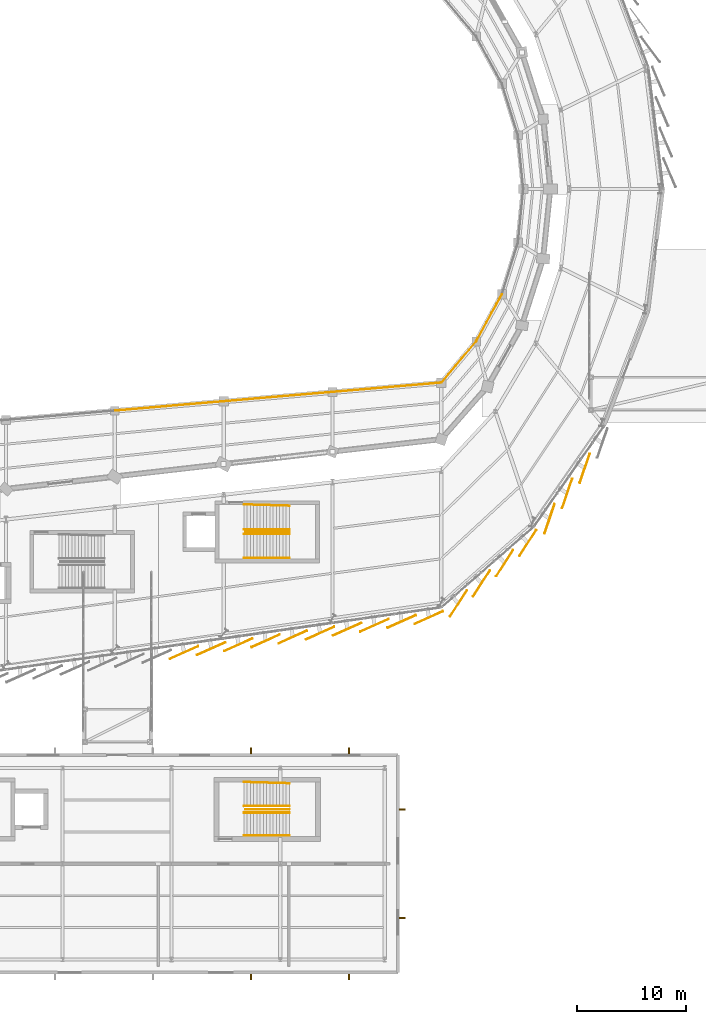
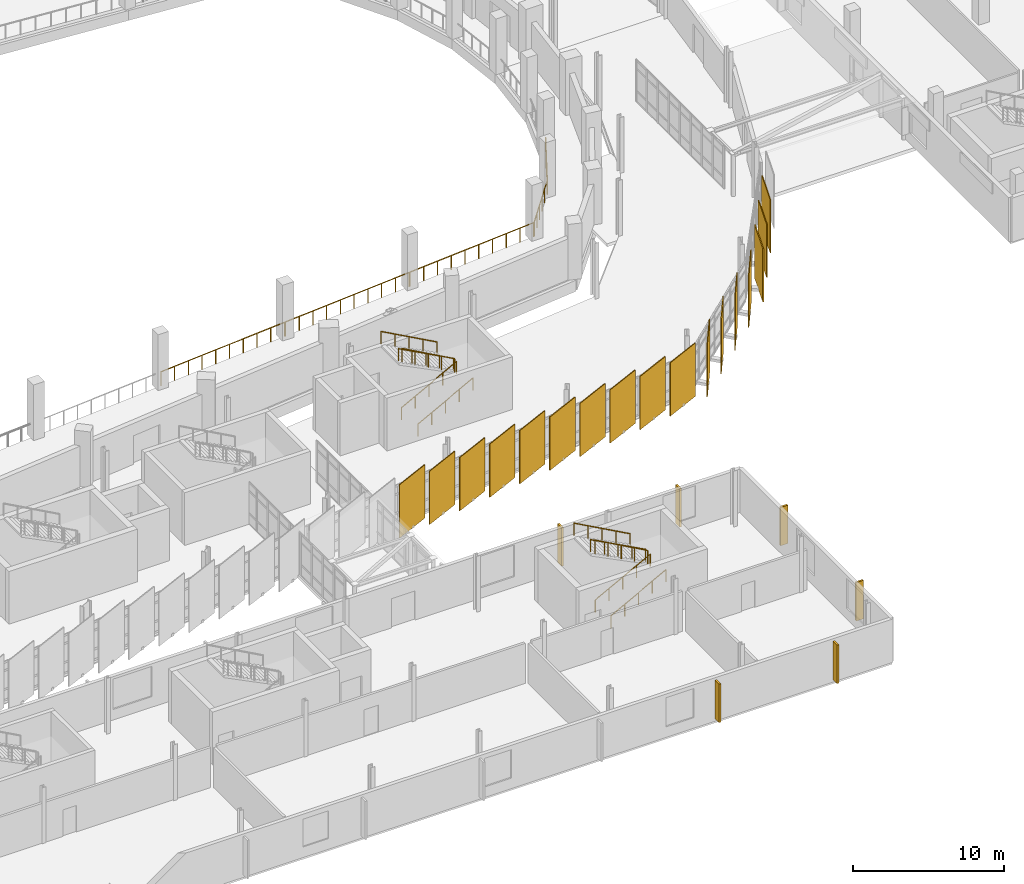
# One storey, part 121 of 125: 17 coverings, 15 railings, 6 shading devices.
"""IFC4 building model written with IfcOpenShell, lengths in metres."""

from ifc_helpers import new_model, si_unit, direction, frame, origin, origin_2d, place, context, subcontext, project, spatial, rectangle, circle, extrude, material, layer, layer_set, type_object, element, save


model = new_model("IFC4")

# Units and contexts
model_context = context("Model", 3, precision=1e-05, world=origin(), true_north=direction((0.0, 1.0)))
body_context = subcontext(model_context, "Body", "Model", "MODEL_VIEW")
ifc_project = project(units=[si_unit("LENGTHUNIT", "METRE"), si_unit("AREAUNIT", "SQUARE_METRE"), si_unit("VOLUMEUNIT", "CUBIC_METRE"), si_unit("PLANEANGLEUNIT", "RADIAN"), si_unit("MASSUNIT", "GRAM", prefix="KILO")], contexts=[model_context])

# Site, building, storey
site_placement = place(None, origin())
site = spatial("IfcSite", under=ifc_project, at=site_placement, CompositionType="ELEMENT")
building_placement = place(site_placement, origin())
building = spatial("IfcBuilding", under=site, at=building_placement, Name="Sohan Crest Arena", CompositionType="ELEMENT")
storey_placement = place(building_placement, frame((0.0, 0.0, 9.0)))
storey = spatial("IfcBuildingStorey", under=building, at=storey_placement, Name="L02", CompositionType="ELEMENT", Elevation=9.0)

# Railings
ifc_material_1 = material(Name="Powder-coated wrought steel balustrade", Category="steel")
railing_type_1 = type_object("IfcRailingType", Name="ARC-GRD-01", PredefinedType="GUARDRAIL", material=ifc_material_1)
for number, where, name in (
    (1, (154.030029296875, 46.5, 2.25), "Stair well slot guard GRD-053"),
    (2, (154.030029296875, 21.0, 2.25), "Stair well slot guard GRD-064"),
):
    element("IfcRailing", number, at=place(storey_placement, frame(where)), inside=storey, type_object=railing_type_1, Name=name, PredefinedType="GUARDRAIL", context=body_context, shape_type="SweptSolid", body=[
        extrude(circle(Radius=0.02392578125, at=origin_2d()), frame((0.0, 0.0, 1.076171875), z_axis=(-0.87313487534, 0.0, 0.487478706678), x_axis=(0.0, -1.0, 0.0)), (0.0, 0.0, 1.0), 4.615478515625),
        extrude(circle(Radius=0.02099609375, at=origin_2d()), origin(), (0.0, 0.0, 1.0), 1.052001953125),
        extrude(circle(Radius=0.02099609375, at=origin_2d()), frame((-1.007568359375, 0.0, 0.5625)), (0.0, 0.0, 1.0), 1.052001953125),
        extrude(circle(Radius=0.02099609375, at=origin_2d()), frame((-2.01513671875, 0.0, 1.125)), (0.0, 0.0, 1.0), 1.052001953125),
        extrude(circle(Radius=0.02099609375, at=origin_2d()), frame((-3.0224609375, 0.0, 1.6875)), (0.0, 0.0, 1.0), 1.052001953125),
        extrude(circle(Radius=0.02099609375, at=origin_2d()), frame((-4.030029296875, 0.0, 2.25)), (0.0, 0.0, 1.0), 1.052001953125),
    ])
ifc_material_2 = material(Name="Laminated glass and steel sightline guard", Category="steel")
railing_type_2 = type_object("IfcRailingType", Name="ARC-GRD-02", PredefinedType="GUARDRAIL", material=ifc_material_2)
railing_1_placement = place(storey_placement, frame((138.0400390625, 57.632080078125, 0.0)))
element("IfcRailing", 3, at=railing_1_placement, inside=storey, type_object=railing_type_2, Name="Bowl gallery edge guard GRD-234", PredefinedType="GUARDRAIL", context=body_context, shape_type="SweptSolid", body=[
    extrude(circle(Radius=0.02392578125, at=origin_2d()), frame((0.0, 0.0, 1.1259765625), z_axis=(0.996341938042, 0.085456085206, 0.0), x_axis=(-0.085456085206, 0.996341938042, 0.0)), (0.0, 0.0, 1.0), 9.956298828125),
    extrude(circle(Radius=0.02099609375, at=origin_2d()), origin(), (0.0, 0.0, 1.0), 1.101806640625),
    extrude(circle(Radius=0.02099609375, at=origin_2d()), frame((1.102294921875, 0.094482421875, 0.0)), (0.0, 0.0, 1.0), 1.101806640625),
    extrude(circle(Radius=0.02099609375, at=origin_2d()), frame((2.204345703125, 0.18896484375, 0.0)), (0.0, 0.0, 1.0), 1.101806640625),
    extrude(circle(Radius=0.02099609375, at=origin_2d()), frame((3.306640625, 0.28369140625, 0.0)), (0.0, 0.0, 1.0), 1.101806640625),
    extrude(circle(Radius=0.02099609375, at=origin_2d()), frame((4.408935546875, 0.378173828125, 0.0)), (0.0, 0.0, 1.0), 1.101806640625),
    extrude(circle(Radius=0.02099609375, at=origin_2d()), frame((5.510986328125, 0.47265625, 0.0)), (0.0, 0.0, 1.0), 1.101806640625),
    extrude(circle(Radius=0.02099609375, at=origin_2d()), frame((6.61328125, 0.567138671875, 0.0)), (0.0, 0.0, 1.0), 1.101806640625),
    extrude(circle(Radius=0.02099609375, at=origin_2d()), frame((7.715576171875, 0.661865234375, 0.0)), (0.0, 0.0, 1.0), 1.101806640625),
    extrude(circle(Radius=0.02099609375, at=origin_2d()), frame((8.817626953125, 0.75634765625, 0.0)), (0.0, 0.0, 1.0), 1.101806640625),
    extrude(circle(Radius=0.02099609375, at=origin_2d()), frame((9.919921875, 0.850830078125, 0.0)), (0.0, 0.0, 1.0), 1.101806640625),
])
for number, where, name in (
    (4, (148.0400390625, 58.489013671875, 0.0), "Bowl gallery edge guard GRD-235"),
    (5, (158.0400390625, 59.345947265625, 0.0), "Bowl gallery edge guard GRD-236"),
):
    element("IfcRailing", number, at=place(storey_placement, frame(where)), inside=storey, type_object=railing_type_2, Name=name, PredefinedType="GUARDRAIL", context=body_context, shape_type="SweptSolid", body=[
        extrude(circle(Radius=0.02392578125, at=origin_2d()), frame((0.0, 0.0, 1.1259765625), z_axis=(0.996339849936, 0.085480427173, 0.0), x_axis=(-0.085480427173, 0.996339849936, 0.0)), (0.0, 0.0, 1.0), 9.956298828125),
        extrude(circle(Radius=0.02099609375, at=origin_2d()), origin(), (0.0, 0.0, 1.0), 1.101806640625),
        extrude(circle(Radius=0.02099609375, at=origin_2d()), frame((1.102294921875, 0.094482421875, 0.0)), (0.0, 0.0, 1.0), 1.101806640625),
        extrude(circle(Radius=0.02099609375, at=origin_2d()), frame((2.204345703125, 0.189208984375, 0.0)), (0.0, 0.0, 1.0), 1.101806640625),
        extrude(circle(Radius=0.02099609375, at=origin_2d()), frame((3.306640625, 0.28369140625, 0.0)), (0.0, 0.0, 1.0), 1.101806640625),
        extrude(circle(Radius=0.02099609375, at=origin_2d()), frame((4.408935546875, 0.378173828125, 0.0)), (0.0, 0.0, 1.0), 1.101806640625),
        extrude(circle(Radius=0.02099609375, at=origin_2d()), frame((5.510986328125, 0.472900390625, 0.0)), (0.0, 0.0, 1.0), 1.101806640625),
        extrude(circle(Radius=0.02099609375, at=origin_2d()), frame((6.61328125, 0.5673828125, 0.0)), (0.0, 0.0, 1.0), 1.101806640625),
        extrude(circle(Radius=0.02099609375, at=origin_2d()), frame((7.715576171875, 0.661865234375, 0.0)), (0.0, 0.0, 1.0), 1.101806640625),
        extrude(circle(Radius=0.02099609375, at=origin_2d()), frame((8.817626953125, 0.756591796875, 0.0)), (0.0, 0.0, 1.0), 1.101806640625),
        extrude(circle(Radius=0.02099609375, at=origin_2d()), frame((9.919921875, 0.85107421875, 0.0)), (0.0, 0.0, 1.0), 1.101806640625),
    ])
railing_2_placement = place(storey_placement, frame((168.02587890625, 60.23095703125, 0.0)))
element("IfcRailing", 6, at=railing_2_placement, inside=storey, type_object=railing_type_2, Name="Bowl gallery edge guard GRD-237", PredefinedType="GUARDRAIL", context=body_context, shape_type="SweptSolid", body=[
    extrude(circle(Radius=0.02392578125, at=origin_2d()), frame((0.0, 0.0, 1.1259765625), z_axis=(0.644656953224, 0.764471982914, 0.0), x_axis=(-0.764471982914, 0.644656953224, 0.0)), (0.0, 0.0, 1.0), 4.8740234375),
    extrude(circle(Radius=0.02099609375, at=origin_2d()), origin(), (0.0, 0.0, 1.0), 1.101806640625),
    extrude(circle(Radius=0.02099609375, at=origin_2d()), frame((0.62841796875, 0.7451171875, 0.0)), (0.0, 0.0, 1.0), 1.101806640625),
    extrude(circle(Radius=0.02099609375, at=origin_2d()), frame((1.2568359375, 1.490478515625, 0.0)), (0.0, 0.0, 1.0), 1.101806640625),
    extrude(circle(Radius=0.02099609375, at=origin_2d()), frame((1.88525390625, 2.235595703125, 0.0)), (0.0, 0.0, 1.0), 1.101806640625),
    extrude(circle(Radius=0.02099609375, at=origin_2d()), frame((2.513671875, 2.98095703125, 0.0)), (0.0, 0.0, 1.0), 1.101806640625),
    extrude(circle(Radius=0.02099609375, at=origin_2d()), frame((3.14208984375, 3.72607421875, 0.0)), (0.0, 0.0, 1.0), 1.101806640625),
])
railing_3_placement = place(storey_placement, frame((171.212890625, 64.02294921875, 0.0)))
element("IfcRailing", 7, at=railing_3_placement, inside=storey, type_object=railing_type_2, Name="Bowl gallery edge guard GRD-238", PredefinedType="GUARDRAIL", context=body_context, shape_type="SweptSolid", body=[
    extrude(circle(Radius=0.02392578125, at=origin_2d()), frame((0.0, 0.0, 1.1259765625), z_axis=(0.47973946728, 0.877410988952, 0.0), x_axis=(-0.877410988952, 0.47973946728, 0.0)), (0.0, 0.0, 1.0), 4.875732421875),
    extrude(circle(Radius=0.02099609375, at=origin_2d()), origin(), (0.0, 0.0, 1.0), 1.101806640625),
    extrude(circle(Radius=0.02099609375, at=origin_2d()), frame((0.4677734375, 0.855712890625, 0.0)), (0.0, 0.0, 1.0), 1.101806640625),
    extrude(circle(Radius=0.02099609375, at=origin_2d()), frame((0.935546875, 1.711181640625, 0.0)), (0.0, 0.0, 1.0), 1.101806640625),
    extrude(circle(Radius=0.02099609375, at=origin_2d()), frame((1.403564453125, 2.56689453125, 0.0)), (0.0, 0.0, 1.0), 1.101806640625),
    extrude(circle(Radius=0.02099609375, at=origin_2d()), frame((1.871337890625, 3.42236328125, 0.0)), (0.0, 0.0, 1.0), 1.101806640625),
    extrude(circle(Radius=0.02099609375, at=origin_2d()), frame((2.339111328125, 4.278076171875, 0.0)), (0.0, 0.0, 1.0), 1.101806640625),
])
ifc_material_3 = material(Name="Brushed stainless steel stair handrail", Category="steel")
railing_type_3 = type_object("IfcRailingType", Name="ARC-HR-01", PredefinedType="HANDRAIL", material=ifc_material_3)
for number, where, name in (
    (8, (149.85009765625, 44.110107421875, 0.0), "Stair pitch handrail HR-177"),
    (9, (149.85009765625, 46.2900390625, 0.0), "Stair pitch handrail HR-178"),
):
    element("IfcRailing", number, at=place(storey_placement, frame(where)), inside=storey, type_object=railing_type_3, Name=name, PredefinedType="HANDRAIL", context=body_context, shape_type="SweptSolid", body=[
        extrude(circle(Radius=0.02392578125, at=origin_2d()), frame((0.0, 0.0, 0.97607421875), z_axis=(0.881477684796, 0.0, 0.472225678258), x_axis=(0.0, 1.0, 0.0)), (0.0, 0.0, 1.0), 4.7646484375),
        extrude(circle(Radius=0.02099609375, at=origin_2d()), origin(), (0.0, 0.0, 1.0), 0.951904296875),
        extrude(circle(Radius=0.02099609375, at=origin_2d()), frame((1.050048828125, 0.0, 0.5625)), (0.0, 0.0, 1.0), 0.951904296875),
        extrude(circle(Radius=0.02099609375, at=origin_2d()), frame((2.10009765625, 0.0, 1.125)), (0.0, 0.0, 1.0), 0.951904296875),
        extrude(circle(Radius=0.02099609375, at=origin_2d()), frame((3.14990234375, 0.0, 1.6875)), (0.0, 0.0, 1.0), 0.951904296875),
        extrude(circle(Radius=0.02099609375, at=origin_2d()), frame((4.199951171875, 0.0, 2.25)), (0.0, 0.0, 1.0), 0.951904296875),
    ])
railing_4_placement = place(storey_placement, frame((154.050048828125, 46.7099609375, 2.25)))
element("IfcRailing", 10, at=railing_4_placement, inside=storey, type_object=railing_type_3, Name="Stair pitch handrail HR-179", PredefinedType="HANDRAIL", context=body_context, shape_type="SweptSolid", body=[
    extrude(circle(Radius=0.02392578125, at=origin_2d()), frame((0.0, 0.0, 0.97607421875), z_axis=(-0.881477684796, 0.0, 0.472225678258), x_axis=(0.0, -1.0, 0.0)), (0.0, 0.0, 1.0), 4.7646484375),
    extrude(circle(Radius=0.02099609375, at=origin_2d()), origin(), (0.0, 0.0, 1.0), 0.951904296875),
    extrude(circle(Radius=0.02099609375, at=origin_2d()), frame((-1.050048828125, 0.0, 0.5625)), (0.0, 0.0, 1.0), 0.951904296875),
    extrude(circle(Radius=0.02099609375, at=origin_2d()), frame((-2.10009765625, 0.0, 1.125)), (0.0, 0.0, 1.0), 0.951904296875),
    extrude(circle(Radius=0.02099609375, at=origin_2d()), frame((-3.14990234375, 0.0, 1.6875)), (0.0, 0.0, 1.0), 0.951904296875),
    extrude(circle(Radius=0.02099609375, at=origin_2d()), frame((-4.199951171875, 0.0, 2.25)), (0.0, 0.0, 1.0), 0.951904296875),
])
railing_5_placement = place(storey_placement, frame((154.050048828125, 48.889892578125, 2.25)))
element("IfcRailing", 11, at=railing_5_placement, inside=storey, type_object=railing_type_3, Name="Stair pitch handrail HR-180", PredefinedType="HANDRAIL", context=body_context, shape_type="SweptSolid", body=[
    extrude(circle(Radius=0.02392578125, at=origin_2d()), frame((0.0, 0.0, 0.97607421875), z_axis=(-0.881197710057, 0.025201957411, 0.472075690047), x_axis=(-0.028587973606, -0.999591280357, 0.0)), (0.0, 0.0, 1.0), 4.76611328125),
    extrude(circle(Radius=0.02099609375, at=origin_2d()), origin(), (0.0, 0.0, 1.0), 0.951904296875),
    extrude(circle(Radius=0.02099609375, at=origin_2d()), frame((-1.050048828125, 0.030029296875, 0.5625)), (0.0, 0.0, 1.0), 0.951904296875),
    extrude(circle(Radius=0.02099609375, at=origin_2d()), frame((-2.10009765625, 0.06005859375, 1.125)), (0.0, 0.0, 1.0), 0.951904296875),
    extrude(circle(Radius=0.02099609375, at=origin_2d()), frame((-3.14990234375, 0.090087890625, 1.6875)), (0.0, 0.0, 1.0), 0.951904296875),
    extrude(circle(Radius=0.02099609375, at=origin_2d()), frame((-4.199951171875, 0.1201171875, 2.25)), (0.0, 0.0, 1.0), 0.951904296875),
])
for number, where, name in (
    (12, (149.85009765625, 18.610107421875, 0.0), "Stair pitch handrail HR-213"),
    (13, (149.85009765625, 20.68994140625, 0.0), "Stair pitch handrail HR-214"),
):
    element("IfcRailing", number, at=place(storey_placement, frame(where)), inside=storey, type_object=railing_type_3, Name=name, PredefinedType="HANDRAIL", context=body_context, shape_type="SweptSolid", body=[
        extrude(circle(Radius=0.02392578125, at=origin_2d()), frame((0.0, 0.0, 0.97607421875), z_axis=(0.881477684796, 0.0, 0.472225678258), x_axis=(0.0, 1.0, 0.0)), (0.0, 0.0, 1.0), 4.7646484375),
        extrude(circle(Radius=0.02099609375, at=origin_2d()), origin(), (0.0, 0.0, 1.0), 0.951904296875),
        extrude(circle(Radius=0.02099609375, at=origin_2d()), frame((1.050048828125, 0.0, 0.5625)), (0.0, 0.0, 1.0), 0.951904296875),
        extrude(circle(Radius=0.02099609375, at=origin_2d()), frame((2.10009765625, 0.0, 1.125)), (0.0, 0.0, 1.0), 0.951904296875),
        extrude(circle(Radius=0.02099609375, at=origin_2d()), frame((3.14990234375, 0.0, 1.6875)), (0.0, 0.0, 1.0), 0.951904296875),
        extrude(circle(Radius=0.02099609375, at=origin_2d()), frame((4.199951171875, 0.0, 2.25)), (0.0, 0.0, 1.0), 0.951904296875),
    ])
railing_6_placement = place(storey_placement, frame((154.050048828125, 21.31005859375, 2.25)))
element("IfcRailing", 14, at=railing_6_placement, inside=storey, type_object=railing_type_3, Name="Stair pitch handrail HR-215", PredefinedType="HANDRAIL", context=body_context, shape_type="SweptSolid", body=[
    extrude(circle(Radius=0.02392578125, at=origin_2d()), frame((0.0, 0.0, 0.97607421875), z_axis=(-0.881477684796, 0.0, 0.472225678258), x_axis=(0.0, -1.0, 0.0)), (0.0, 0.0, 1.0), 4.7646484375),
    extrude(circle(Radius=0.02099609375, at=origin_2d()), origin(), (0.0, 0.0, 1.0), 0.951904296875),
    extrude(circle(Radius=0.02099609375, at=origin_2d()), frame((-1.050048828125, 0.0, 0.5625)), (0.0, 0.0, 1.0), 0.951904296875),
    extrude(circle(Radius=0.02099609375, at=origin_2d()), frame((-2.10009765625, 0.0, 1.125)), (0.0, 0.0, 1.0), 0.951904296875),
    extrude(circle(Radius=0.02099609375, at=origin_2d()), frame((-3.14990234375, 0.0, 1.6875)), (0.0, 0.0, 1.0), 0.951904296875),
    extrude(circle(Radius=0.02099609375, at=origin_2d()), frame((-4.199951171875, 0.0, 2.25)), (0.0, 0.0, 1.0), 0.951904296875),
])
railing_7_placement = place(storey_placement, frame((154.050048828125, 23.389892578125, 2.25)))
element("IfcRailing", 15, at=railing_7_placement, inside=storey, type_object=railing_type_3, Name="Stair pitch handrail HR-216", PredefinedType="HANDRAIL", context=body_context, shape_type="SweptSolid", body=[
    extrude(circle(Radius=0.02392578125, at=origin_2d()), frame((0.0, 0.0, 0.97607421875), z_axis=(-0.881197710057, 0.025201957411, 0.472075690047), x_axis=(-0.028587973606, -0.999591280357, 0.0)), (0.0, 0.0, 1.0), 4.76611328125),
    extrude(circle(Radius=0.02099609375, at=origin_2d()), origin(), (0.0, 0.0, 1.0), 0.951904296875),
    extrude(circle(Radius=0.02099609375, at=origin_2d()), frame((-1.050048828125, 0.030029296875, 0.5625)), (0.0, 0.0, 1.0), 0.951904296875),
    extrude(circle(Radius=0.02099609375, at=origin_2d()), frame((-2.10009765625, 0.06005859375, 1.125)), (0.0, 0.0, 1.0), 0.951904296875),
    extrude(circle(Radius=0.02099609375, at=origin_2d()), frame((-3.14990234375, 0.090087890625, 1.6875)), (0.0, 0.0, 1.0), 0.951904296875),
    extrude(circle(Radius=0.02099609375, at=origin_2d()), frame((-4.199951171875, 0.1201171875, 2.25)), (0.0, 0.0, 1.0), 0.951904296875),
])

# Shading devices
ifc_material_4 = material(Name="Glazed terracotta ceramic solar fin", Category="masonry")
ifc_layer_1 = layer(ifc_material_4, 0.070068359375, Name="Glazed terracotta ceramic solar fin")
ifc_layer_set_1 = layer_set([ifc_layer_1], Name="Glazed terracotta ceramic solar fin")
shading_device_type = type_object("IfcShadingDeviceType", Name="ARC-SHD-FIN1", PredefinedType="USERDEFINED", material=ifc_layer_set_1)
for number, where, z_axis, x_axis, name in (
    (16, (150.5, 5.60009765625, 0.199951171875), (0.0, 0.0, 1.0), (1.0, 0.0, 0.0), "Catalan terracotta facade fin FIN-083"),
    (17, (159.5, 5.60009765625, 0.199951171875), (0.0, 0.0, 1.0), (1.0, 0.0, 0.0), "Catalan terracotta facade fin FIN-084"),
    (18, (164.39990234375, 11.0, 0.199951171875), (0.0, 0.0, 1.0), (0.0, 1.0, 0.0), "Catalan terracotta facade fin FIN-085"),
    (19, (164.39990234375, 21.0, 0.199951171875), (0.0, 0.0, 1.0), (0.0, 1.0, 0.0), "Catalan terracotta facade fin FIN-086"),
    (20, (159.5, 26.39990234375, 0.199951171875), (0.0, 0.0, 1.0), (-1.0, 0.0, 0.0), "Catalan terracotta facade fin FIN-087"),
    (21, (150.5, 26.39990234375, 0.199951171875), (0.0, 0.0, 1.0), (-1.0, 0.0, 0.0), "Catalan terracotta facade fin FIN-088"),
):
    element("IfcShadingDevice", number, at=place(storey_placement, frame(where, z_axis=z_axis, x_axis=x_axis)), inside=storey, type_object=shading_device_type, Name=name, ObjectType="FIN", PredefinedType="USERDEFINED", context=body_context, shape_type="SweptSolid", body=[
        extrude(rectangle(XDim=0.139892578125, YDim=0.550048828125, at=origin_2d()), origin(), (0.0, 0.0, 1.0), 3.10009765625),
    ])

# Coverings
ifc_material_5 = material(Name="Glazed ivory trencadis ceramic cladding", Category="masonry")
ifc_layer_2 = layer(ifc_material_5, 0.06494140625, Name="Glazed ivory trencadis ceramic cladding")
ifc_layer_set_2 = layer_set([ifc_layer_2], Name="Glazed ivory trencadis ceramic cladding")
covering_type_1 = type_object("IfcCoveringType", Name="COV-SC-IV", PredefinedType="CLADDING", material=ifc_layer_set_2)
for number, where, z_axis, x_axis, name in (
    (22, (144.35791015625, 35.405029296875, -0.2001953125), (0.0, 0.0, 1.0), (0.912834177233, 0.408330460381, 0.0), "Rotated trencadis ceramic scale panel SC-0199"),
    (23, (146.85791015625, 35.761962890625, -0.2001953125), (0.0, 0.0, 1.0), (0.912834177233, 0.408330460381, 0.0), "Rotated trencadis ceramic scale panel SC-0200"),
    (24, (149.35693359375, 36.118896484375, -0.2001953125), (0.0, 0.0, 1.0), (0.912834177233, 0.408330460381, 0.0), "Rotated trencadis ceramic scale panel SC-0201"),
    (25, (151.85693359375, 36.47607421875, -0.2001953125), (0.0, 0.0, 1.0), (0.912834177233, 0.408330460381, 0.0), "Rotated trencadis ceramic scale panel SC-0202"),
    (26, (154.35693359375, 36.8330078125, -0.2001953125), (0.0, 0.0, 1.0), (0.912834177233, 0.408330460381, 0.0), "Rotated trencadis ceramic scale panel SC-0203"),
    (27, (159.35791015625, 37.547119140625, -0.2001953125), (0.0, 0.0, 1.0), (0.912834177233, 0.408330460381, 0.0), "Rotated trencadis ceramic scale panel SC-0205"),
    (28, (161.85791015625, 37.905029296875, -0.2001953125), (0.0, 0.0, 1.0), (0.912834177233, 0.408330460381, 0.0), "Rotated trencadis ceramic scale panel SC-0206"),
    (29, (166.85791015625, 38.618896484375, -0.2001953125), (0.0, 0.0, 1.0), (0.912834177233, 0.408330460381, 0.0), "Rotated trencadis ceramic scale panel SC-0208"),
    (30, (169.56298828125, 39.906005859375, -0.2001953125), (0.0, 0.0, 1.0), (0.543174449951, 0.839619864534, 0.0), "Rotated trencadis ceramic scale panel SC-0209"),
    (31, (173.818115234375, 43.618896484375, -0.2001953125), (0.0, 0.0, 1.0), (0.543174449951, 0.839619864534, 0.0), "Rotated trencadis ceramic scale panel SC-0211"),
    (32, (175.946044921875, 45.47607421875, -0.2001953125), (0.0, 0.0, 1.0), (0.543174449951, 0.839619864534, 0.0), "Rotated trencadis ceramic scale panel SC-0212"),
    (33, (179.55810546875, 50.014892578125, -0.2001953125), (0.0, 0.0, 1.0), (0.323917418198, 0.946085358828, 0.0), "Rotated trencadis ceramic scale panel SC-0214"),
    (34, (181.174072265625, 52.3310546875, -0.2001953125), (0.0, 0.0, 1.0), (0.323917418198, 0.946085358828, 0.0), "Rotated trencadis ceramic scale panel SC-0215"),
):
    element("IfcCovering", number, at=place(storey_placement, frame(where, z_axis=z_axis, x_axis=x_axis)), inside=storey, type_object=covering_type_1, Name=name, PredefinedType="CLADDING", context=body_context, shape_type="SweptSolid", body=[
        extrude(rectangle(XDim=2.85009765625, YDim=0.06494140625, at=origin_2d()), origin(), (0.0, 0.0, 1.0), 4.300048828125),
    ])
ifc_material_6 = material(Name="Glazed terracotta trencadis ceramic cladding", Category="masonry")
ifc_layer_3 = layer(ifc_material_6, 0.074951171875, Name="Glazed terracotta trencadis ceramic cladding")
ifc_layer_set_3 = layer_set([ifc_layer_3], Name="Glazed terracotta trencadis ceramic cladding")
covering_type_2 = type_object("IfcCoveringType", Name="COV-SC-TC", PredefinedType="CLADDING", material=ifc_layer_set_3)
for number, where, z_axis, x_axis, name in (
    (35, (156.85693359375, 37.18994140625, -0.2001953125), (0.0, 0.0, 1.0), (0.912834177233, 0.408330460381, 0.0), "Rotated trencadis ceramic scale panel SC-0204"),
    (36, (164.35791015625, 38.261962890625, -0.2001953125), (0.0, 0.0, 1.0), (0.912834177233, 0.408330460381, 0.0), "Rotated trencadis ceramic scale panel SC-0207"),
    (37, (171.69091796875, 41.762939453125, -0.2001953125), (0.0, 0.0, 1.0), (0.543174449951, 0.839619864534, 0.0), "Rotated trencadis ceramic scale panel SC-0210"),
    (38, (177.94091796875, 47.699951171875, -0.2001953125), (0.0, 0.0, 1.0), (0.323917418198, 0.946085358828, 0.0), "Rotated trencadis ceramic scale panel SC-0213"),
):
    element("IfcCovering", number, at=place(storey_placement, frame(where, z_axis=z_axis, x_axis=x_axis)), inside=storey, type_object=covering_type_2, Name=name, PredefinedType="CLADDING", context=body_context, shape_type="SweptSolid", body=[
        extrude(rectangle(XDim=2.85009765625, YDim=0.074951171875, at=origin_2d()), origin(), (0.0, 0.0, 1.0), 4.300048828125),
    ])

save(model, "model.ifc")
